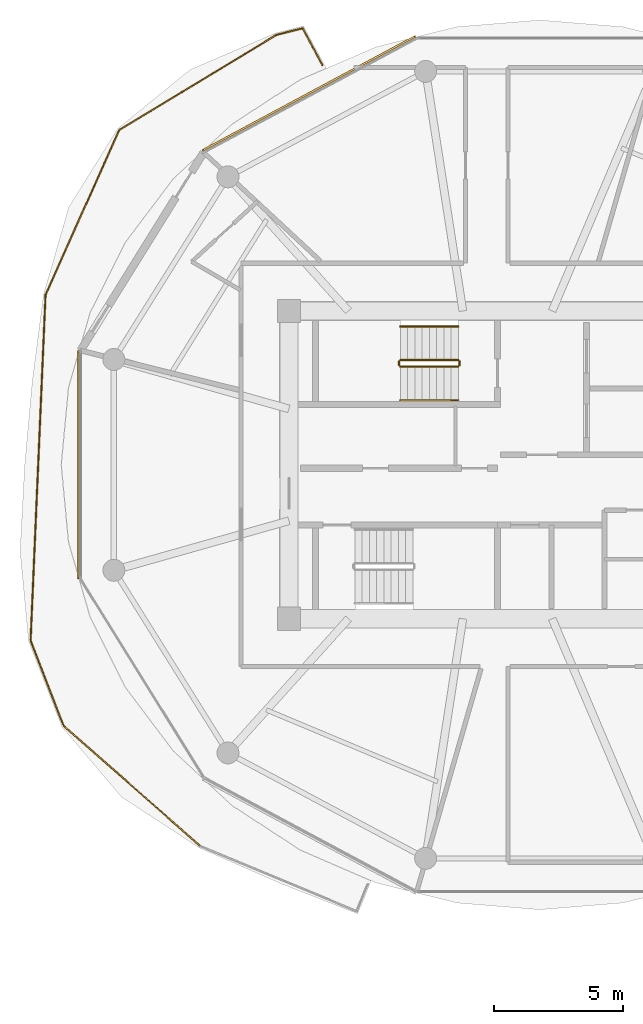
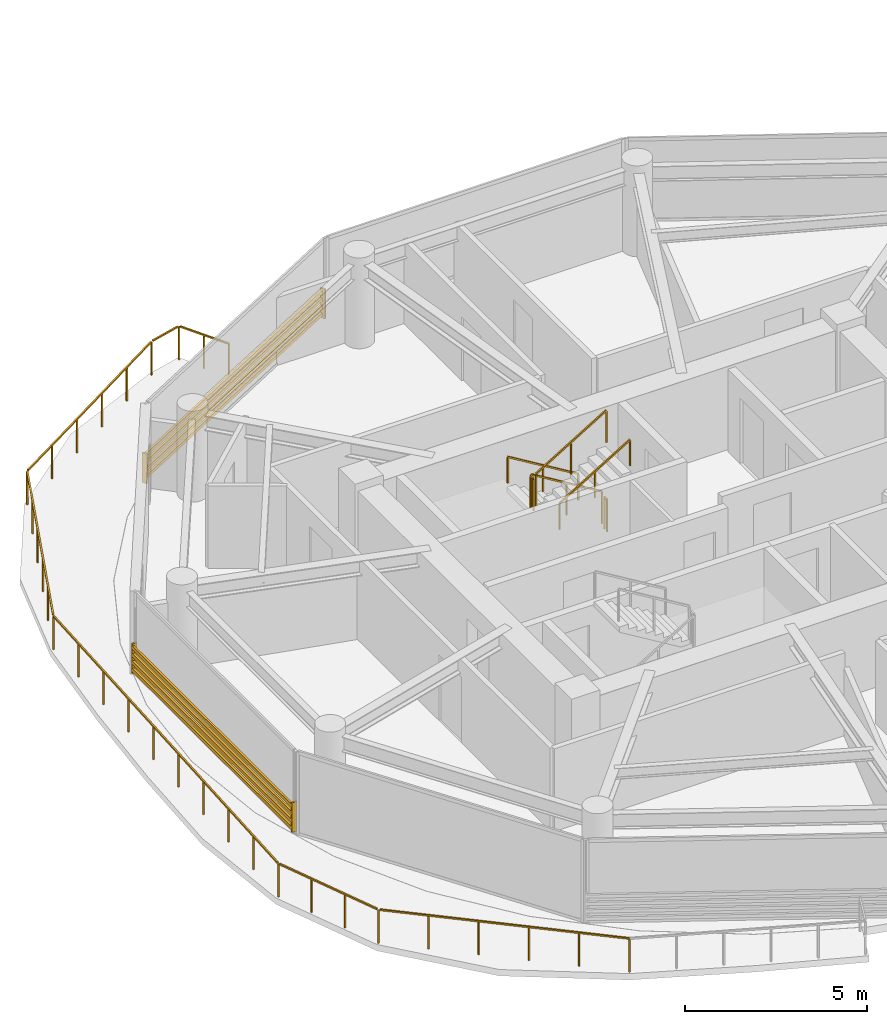
# One storey, part 20 of 22: 7 railings, 2 shading devices.
"""IFC4 building model written with IfcOpenShell, lengths in metres."""

from ifc_helpers import new_model, si_unit, direction, frame, origin, origin_2d, place, context, subcontext, project, spatial, rectangle, extrude, source, transform, mapped, material, type_object, type_shapes, element, save


model = new_model("IFC4")

# Units and contexts
model_context = context("Model", 3, precision=1e-05, world=origin(), true_north=direction((0.0, 1.0)))
body_context = subcontext(model_context, "Body", "Model", "MODEL_VIEW")
ifc_project = project(units=[si_unit("LENGTHUNIT", "METRE"), si_unit("AREAUNIT", "SQUARE_METRE"), si_unit("VOLUMEUNIT", "CUBIC_METRE"), si_unit("PLANEANGLEUNIT", "RADIAN"), si_unit("MASSUNIT", "GRAM", prefix="KILO")], contexts=[model_context])

# Site, building, storey
site_placement = place(None, origin())
site = spatial("IfcSite", under=ifc_project, at=site_placement, CompositionType="ELEMENT")
building_placement = place(site_placement, origin())
building = spatial("IfcBuilding", under=site, at=building_placement, Name="Norrkilde Senior Care Towers", CompositionType="ELEMENT")
storey_placement = place(building_placement, frame((0.0, 0.0, 96.25)))
storey = spatial("IfcBuildingStorey", under=building, at=storey_placement, Name="L29", CompositionType="ELEMENT", Elevation=96.25)

# Railings
ifc_material_1 = material(Name="Anodised Aluminium", Category="aluminium")
railing_type_1 = type_object("IfcRailingType", Name="Balcony Swirl Ribbon Guardrail 1150", PredefinedType="GUARDRAIL", material=ifc_material_1)
railing_1_placement = place(storey_placement, frame((-39.0771484375, -14.73828125, 0.0)))
element("IfcRailing", 1, at=railing_1_placement, inside=storey, type_object=railing_type_1, Name="L29 Perimeter Safety Guard 03", PredefinedType="GUARDRAIL", context=body_context, shape_type="SweptSolid", body=[
    extrude(rectangle(XDim=0.048095703125, YDim=0.048095703125, at=origin_2d()), frame((0.0, 0.0, 1.1259765625), z_axis=(-0.750601379048, 0.660755302492, 0.0), x_axis=(-0.660755302492, -0.750601379048, 0.0)), (0.0, 0.0, 1.0), 6.999755859375),
    extrude(rectangle(XDim=0.048095703125, YDim=0.048095703125, at=origin_2d()), frame((-5.299560546875, 4.690185546875, 1.1259765625), z_axis=(-0.361694804331, 0.932296556102, 0.0), x_axis=(-0.932296556102, -0.361694804331, 0.0)), (0.0, 0.0, 1.0), 3.446533203125),
    extrude(rectangle(XDim=0.048095703125, YDim=0.048095703125, at=origin_2d()), frame((-6.55908203125, 7.982177734375, 1.1259765625), z_axis=(0.043183083244, 0.99906717558, 0.0), x_axis=(-0.99906717558, 0.043183083244, 0.0)), (0.0, 0.0, 1.0), 13.30029296875),
    extrude(rectangle(XDim=0.048095703125, YDim=0.048095703125, at=origin_2d()), frame((-5.96630859375, 21.348388671875, 1.1259765625), z_axis=(0.40804615809, 0.912961298669, 0.0), x_axis=(-0.912961298669, 0.40804615809, 0.0)), (0.0, 0.0, 1.0), 6.89697265625),
    extrude(rectangle(XDim=0.048095703125, YDim=0.048095703125, at=origin_2d()), frame((-3.100341796875, 27.70361328125, 1.1259765625), z_axis=(0.855397815299, 0.517971599203, 0.0), x_axis=(-0.517971599203, 0.855397815299, 0.0)), (0.0, 0.0, 1.0), 7.01611328125),
    extrude(rectangle(XDim=0.048095703125, YDim=0.048095703125, at=origin_2d()), frame((2.975830078125, 31.368896484375, 1.1259765625), z_axis=(0.969024356953, 0.246965170887, 0.0), x_axis=(-0.246965170887, 0.969024356953, 0.0)), (0.0, 0.0, 1.0), 0.968017578125),
    extrude(rectangle(XDim=0.048095703125, YDim=0.048095703125, at=origin_2d()), frame((3.972900390625, 31.582275390625, 1.1259765625), z_axis=(0.473847509272, -0.880606914552, 0.0), x_axis=(0.880606914552, 0.473847509272, 0.0)), (0.0, 0.0, 1.0), 1.574951171875),
    extrude(rectangle(XDim=0.0419921875, YDim=0.0419921875, at=origin_2d()), origin(), (0.0, 0.0, 1.0), 1.099853515625),
    extrude(rectangle(XDim=0.0419921875, YDim=0.0419921875, at=origin_2d()), frame((-1.056884765625, 0.930419921875, 0.0)), (0.0, 0.0, 1.0), 1.099853515625),
    extrude(rectangle(XDim=0.0419921875, YDim=0.0419921875, at=origin_2d()), frame((-2.11376953125, 1.86083984375, 0.0)), (0.0, 0.0, 1.0), 1.099853515625),
    extrude(rectangle(XDim=0.0419921875, YDim=0.0419921875, at=origin_2d()), frame((-3.1708984375, 2.791259765625, 0.0)), (0.0, 0.0, 1.0), 1.099853515625),
    extrude(rectangle(XDim=0.0419921875, YDim=0.0419921875, at=origin_2d()), frame((-4.227783203125, 3.7216796875, 0.0)), (0.0, 0.0, 1.0), 1.099853515625),
    extrude(rectangle(XDim=0.0419921875, YDim=0.0419921875, at=origin_2d()), frame((-5.28466796875, 4.652099609375, 0.0)), (0.0, 0.0, 1.0), 1.099853515625),
    extrude(rectangle(XDim=0.0419921875, YDim=0.0419921875, at=origin_2d()), frame((-5.7099609375, 5.74853515625, 0.0)), (0.0, 0.0, 1.0), 1.099853515625),
    extrude(rectangle(XDim=0.0419921875, YDim=0.0419921875, at=origin_2d()), frame((-6.135498046875, 6.844970703125, 0.0)), (0.0, 0.0, 1.0), 1.099853515625),
    extrude(rectangle(XDim=0.0419921875, YDim=0.0419921875, at=origin_2d()), frame((-6.560791015625, 7.94140625, 0.0)), (0.0, 0.0, 1.0), 1.099853515625),
    extrude(rectangle(XDim=0.0419921875, YDim=0.0419921875, at=origin_2d()), frame((-6.49658203125, 9.427001953125, 0.0)), (0.0, 0.0, 1.0), 1.099853515625),
    extrude(rectangle(XDim=0.0419921875, YDim=0.0419921875, at=origin_2d()), frame((-6.432373046875, 10.912353515625, 0.0)), (0.0, 0.0, 1.0), 1.099853515625),
    extrude(rectangle(XDim=0.0419921875, YDim=0.0419921875, at=origin_2d()), frame((-6.3681640625, 12.39794921875, 0.0)), (0.0, 0.0, 1.0), 1.099853515625),
    extrude(rectangle(XDim=0.0419921875, YDim=0.0419921875, at=origin_2d()), frame((-6.303955078125, 13.883544921875, 0.0)), (0.0, 0.0, 1.0), 1.099853515625),
    extrude(rectangle(XDim=0.0419921875, YDim=0.0419921875, at=origin_2d()), frame((-6.23974609375, 15.368896484375, 0.0)), (0.0, 0.0, 1.0), 1.099853515625),
    extrude(rectangle(XDim=0.0419921875, YDim=0.0419921875, at=origin_2d()), frame((-6.175537109375, 16.8544921875, 0.0)), (0.0, 0.0, 1.0), 1.099853515625),
    extrude(rectangle(XDim=0.0419921875, YDim=0.0419921875, at=origin_2d()), frame((-6.111328125, 18.340087890625, 0.0)), (0.0, 0.0, 1.0), 1.099853515625),
    extrude(rectangle(XDim=0.0419921875, YDim=0.0419921875, at=origin_2d()), frame((-6.047119140625, 19.825439453125, 0.0)), (0.0, 0.0, 1.0), 1.099853515625),
    extrude(rectangle(XDim=0.0419921875, YDim=0.0419921875, at=origin_2d()), frame((-5.98291015625, 21.31103515625, 0.0)), (0.0, 0.0, 1.0), 1.099853515625),
    extrude(rectangle(XDim=0.0419921875, YDim=0.0419921875, at=origin_2d()), frame((-5.413330078125, 22.585205078125, 0.0)), (0.0, 0.0, 1.0), 1.099853515625),
    extrude(rectangle(XDim=0.0419921875, YDim=0.0419921875, at=origin_2d()), frame((-4.84375, 23.859619140625, 0.0)), (0.0, 0.0, 1.0), 1.099853515625),
    extrude(rectangle(XDim=0.0419921875, YDim=0.0419921875, at=origin_2d()), frame((-4.2744140625, 25.1337890625, 0.0)), (0.0, 0.0, 1.0), 1.099853515625),
    extrude(rectangle(XDim=0.0419921875, YDim=0.0419921875, at=origin_2d()), frame((-3.704833984375, 26.408203125, 0.0)), (0.0, 0.0, 1.0), 1.099853515625),
    extrude(rectangle(XDim=0.0419921875, YDim=0.0419921875, at=origin_2d()), frame((-3.13525390625, 27.682373046875, 0.0)), (0.0, 0.0, 1.0), 1.099853515625),
    extrude(rectangle(XDim=0.0419921875, YDim=0.0419921875, at=origin_2d()), frame((-1.9208984375, 28.417724609375, 0.0)), (0.0, 0.0, 1.0), 1.099853515625),
    extrude(rectangle(XDim=0.0419921875, YDim=0.0419921875, at=origin_2d()), frame((-0.70654296875, 29.153076171875, 0.0)), (0.0, 0.0, 1.0), 1.099853515625),
    extrude(rectangle(XDim=0.0419921875, YDim=0.0419921875, at=origin_2d()), frame((0.507568359375, 29.88818359375, 0.0)), (0.0, 0.0, 1.0), 1.099853515625),
    extrude(rectangle(XDim=0.0419921875, YDim=0.0419921875, at=origin_2d()), frame((1.721923828125, 30.62353515625, 0.0)), (0.0, 0.0, 1.0), 1.099853515625),
    extrude(rectangle(XDim=0.0419921875, YDim=0.0419921875, at=origin_2d()), frame((2.936279296875, 31.35888671875, 0.0)), (0.0, 0.0, 1.0), 1.099853515625),
    extrude(rectangle(XDim=0.0419921875, YDim=0.0419921875, at=origin_2d()), frame((3.95361328125, 31.6181640625, 0.0)), (0.0, 0.0, 1.0), 1.099853515625),
    extrude(rectangle(XDim=0.0419921875, YDim=0.0419921875, at=origin_2d()), frame((4.33642578125, 30.90673828125, 0.0)), (0.0, 0.0, 1.0), 1.099853515625),
    extrude(rectangle(XDim=0.0419921875, YDim=0.0419921875, at=origin_2d()), frame((4.71923828125, 30.1953125, 0.0)), (0.0, 0.0, 1.0), 1.099853515625),
])
ifc_material_2 = material(Name="Stainless Steel", Category="steel")
railing_type_2 = type_object("IfcRailingType", Name="Stair and Terrace Guardrail 1100", PredefinedType="GUARDRAIL", material=ifc_material_2)
railing_2_placement = place(storey_placement, frame((-29.10009765625, 4.050048828125, 0.16943359375)))
element("IfcRailing", 2, at=railing_2_placement, inside=storey, type_object=railing_type_2, Name="L29 ST-W1 stair guard 1", PredefinedType="GUARDRAIL", context=body_context, shape_type="SweptSolid", body=[
    extrude(rectangle(XDim=0.048095703125, YDim=0.048095703125, at=origin_2d()), frame((0.0, 0.0, 1.076171875), z_axis=(-0.855553338991, 0.0, 0.51771467445), x_axis=(0.0, -1.0, 0.0)), (0.0, 0.0, 1.0), 2.6181640625),
    extrude(rectangle(XDim=0.0419921875, YDim=0.0419921875, at=origin_2d()), origin(), (0.0, 0.0, 1.0), 1.050048828125),
    extrude(rectangle(XDim=0.0419921875, YDim=0.0419921875, at=origin_2d()), frame((-1.1201171875, 0.0, 0.677734375)), (0.0, 0.0, 1.0), 1.050048828125),
    extrude(rectangle(XDim=0.0419921875, YDim=0.0419921875, at=origin_2d()), frame((-2.239990234375, 0.0, 1.35546875)), (0.0, 0.0, 1.0), 1.050048828125),
])
railing_3_placement = place(storey_placement, frame((-31.389892578125, 4.0, 1.52490234375)))
element("IfcRailing", 3, at=railing_3_placement, inside=storey, type_object=railing_type_2, Name="L29 ST-W1 stair guard 2", PredefinedType="GUARDRAIL", context=body_context, shape_type="SweptSolid", body=[
    extrude(rectangle(XDim=0.048095703125, YDim=0.048095703125, at=origin_2d()), frame((0.0, 0.0, 1.076171875), z_axis=(0.0, -1.0, 0.0), x_axis=(1.0, 0.0, 0.0)), (0.0, 0.0, 1.0), 0.14990234375),
    extrude(rectangle(XDim=0.0419921875, YDim=0.0419921875, at=origin_2d()), origin(), (0.0, 0.0, 1.0), 1.050048828125),
    extrude(rectangle(XDim=0.0419921875, YDim=0.0419921875, at=origin_2d()), frame((0.0, -0.14990234375, 0.0)), (0.0, 0.0, 1.0), 1.050048828125),
])
railing_4_placement = place(storey_placement, frame((-31.340087890625, 3.800048828125, 1.6943359375)))
element("IfcRailing", 4, at=railing_4_placement, inside=storey, type_object=railing_type_2, Name="L29 ST-W1 stair guard 3", PredefinedType="GUARDRAIL", context=body_context, shape_type="SweptSolid", body=[
    extrude(rectangle(XDim=0.048095703125, YDim=0.048095703125, at=origin_2d()), frame((0.0, 0.0, 1.076171875), z_axis=(0.855512035549, 0.0, 0.517782924622), x_axis=(0.0, 1.0, 0.0)), (0.0, 0.0, 1.0), 2.618408203125),
    extrude(rectangle(XDim=0.0419921875, YDim=0.0419921875, at=origin_2d()), origin(), (0.0, 0.0, 1.0), 1.050048828125),
    extrude(rectangle(XDim=0.0419921875, YDim=0.0419921875, at=origin_2d()), frame((1.1201171875, 0.0, 0.677734375)), (0.0, 0.0, 1.0), 1.050048828125),
    extrude(rectangle(XDim=0.0419921875, YDim=0.0419921875, at=origin_2d()), frame((2.239990234375, 0.0, 1.355712890625)), (0.0, 0.0, 1.0), 1.050048828125),
])
railing_5_placement = place(storey_placement, frame((-29.050048828125, 4.0, 0.0)))
element("IfcRailing", 5, at=railing_5_placement, inside=storey, type_object=railing_type_2, Name="L29 ST-W1 stair guard 4", PredefinedType="GUARDRAIL", context=body_context, shape_type="SweptSolid", body=[
    extrude(rectangle(XDim=0.048095703125, YDim=0.048095703125, at=origin_2d()), frame((0.0, 0.0, 1.076171875), z_axis=(0.0, -1.0, 0.0), x_axis=(1.0, 0.0, 0.0)), (0.0, 0.0, 1.0), 0.14990234375),
    extrude(rectangle(XDim=0.0419921875, YDim=0.0419921875, at=origin_2d()), origin(), (0.0, 0.0, 1.0), 1.050048828125),
    extrude(rectangle(XDim=0.0419921875, YDim=0.0419921875, at=origin_2d()), frame((0.0, -0.14990234375, 0.0)), (0.0, 0.0, 1.0), 1.050048828125),
])
ifc_material_3 = material(Name="Nordic Ash Timber", Category="wood")
railing_type_3 = type_object("IfcRailingType", Name="Wall and Stair Handrail 900", PredefinedType="HANDRAIL", material=ifc_material_3)
railing_6_placement = place(storey_placement, frame((-29.10009765625, 5.35009765625, 0.16943359375)))
element("IfcRailing", 6, at=railing_6_placement, inside=storey, type_object=railing_type_3, Name="L29 ST-W1 stair handrail 1", PredefinedType="HANDRAIL", context=body_context, shape_type="SweptSolid", body=[
    extrude(rectangle(XDim=0.048095703125, YDim=0.048095703125, at=origin_2d()), frame((0.0, 0.0, 0.8759765625), z_axis=(-0.855553338991, 0.0, 0.51771467445), x_axis=(0.0, -1.0, 0.0)), (0.0, 0.0, 1.0), 2.6181640625),
    extrude(rectangle(XDim=0.0419921875, YDim=0.0419921875, at=origin_2d()), origin(), (0.0, 0.0, 1.0), 0.849853515625),
    extrude(rectangle(XDim=0.0419921875, YDim=0.0419921875, at=origin_2d()), frame((-1.1201171875, 0.0, 0.677734375)), (0.0, 0.0, 1.0), 0.849853515625),
    extrude(rectangle(XDim=0.0419921875, YDim=0.0419921875, at=origin_2d()), frame((-2.239990234375, 0.0, 1.35546875)), (0.0, 0.0, 1.0), 0.849853515625),
])
railing_7_placement = place(storey_placement, frame((-31.340087890625, 2.5, 1.6943359375)))
element("IfcRailing", 7, at=railing_7_placement, inside=storey, type_object=railing_type_3, Name="L29 ST-W1 stair handrail 2", PredefinedType="HANDRAIL", context=body_context, shape_type="SweptSolid", body=[
    extrude(rectangle(XDim=0.048095703125, YDim=0.048095703125, at=origin_2d()), frame((0.0, 0.0, 0.8759765625), z_axis=(0.855512035549, 0.0, 0.517782924622), x_axis=(0.0, 1.0, 0.0)), (0.0, 0.0, 1.0), 2.618408203125),
    extrude(rectangle(XDim=0.0419921875, YDim=0.0419921875, at=origin_2d()), origin(), (0.0, 0.0, 1.0), 0.849853515625),
    extrude(rectangle(XDim=0.0419921875, YDim=0.0419921875, at=origin_2d()), frame((1.1201171875, 0.0, 0.677734375)), (0.0, 0.0, 1.0), 0.849853515625),
    extrude(rectangle(XDim=0.0419921875, YDim=0.0419921875, at=origin_2d()), frame((2.239990234375, 0.0, 1.355712890625)), (0.0, 0.0, 1.0), 0.849853515625),
])

# Shading devices
ifc_material_4 = material(Name="Architectural Terracotta", Category="masonry")
shading_device_type = type_object("IfcShadingDeviceType", Name="Horizontal Terracotta Baguette Rack", PredefinedType="USERDEFINED", material=ifc_material_4)
shared_shape_1 = source(origin(), body_context, "Body", "SweptSolid", [
    extrude(rectangle(XDim=0.070068359375, YDim=0.110107421875, at=origin_2d()), frame((0.0, 0.090087890625, 0.125), z_axis=(1.0, 0.0, 0.0), x_axis=(0.0, 1.0, 0.0)), (0.0, 0.0, 1.0), 9.3505859375),
    extrude(rectangle(XDim=0.070068359375, YDim=0.110107421875, at=origin_2d()), frame((0.0, 0.090087890625, 0.375), z_axis=(1.0, 0.0, 0.0), x_axis=(0.0, 1.0, 0.0)), (0.0, 0.0, 1.0), 9.3505859375),
    extrude(rectangle(XDim=0.070068359375, YDim=0.110107421875, at=origin_2d()), frame((0.0, 0.090087890625, 0.625), z_axis=(1.0, 0.0, 0.0), x_axis=(0.0, 1.0, 0.0)), (0.0, 0.0, 1.0), 9.3505859375),
    extrude(rectangle(XDim=0.070068359375, YDim=0.110107421875, at=origin_2d()), frame((0.0, 0.090087890625, 0.875), z_axis=(1.0, 0.0, 0.0), x_axis=(0.0, 1.0, 0.0)), (0.0, 0.0, 1.0), 9.3505859375),
    extrude(rectangle(XDim=0.050048828125, YDim=0.1552734375, at=origin_2d()), frame((0.02490234375, 0.047607421875, 0.0)), (0.0, 0.0, 1.0), 1.0),
    extrude(rectangle(XDim=0.050048828125, YDim=0.1552734375, at=origin_2d()), frame((9.32568359375, 0.047607421875, 0.0)), (0.0, 0.0, 1.0), 1.0),
])
shading_device_1_placement = place(storey_placement, frame((-38.946533203125, 12.077392578125, 0.080078125), z_axis=(0.0, 0.0, 1.0), x_axis=(0.881174934726, 0.472767624021, 0.0)))
element("IfcShadingDevice", 8, at=shading_device_1_placement, inside=storey, type_object=shading_device_type, Name="L29 Drum W Terracotta Baguette Screen 03", ObjectType="BAGUETTE", PredefinedType="USERDEFINED", context=body_context, shape_type="MappedRepresentation", body=[
    mapped(shared_shape_1, transform((0.0, 0.0, 0.0), x_axis=(1.0, 0.0, 0.0), y_axis=(0.0, 1.0, 0.0), z_axis=(0.0, 0.0, 1.0), scale=1.0)),
])
shared_shape_2 = source(origin(), body_context, "Body", "SweptSolid", [
    extrude(rectangle(XDim=0.070068359375, YDim=0.110107421875, at=origin_2d()), frame((0.0, 0.090087890625, 0.125), z_axis=(1.0, 0.0, 0.0), x_axis=(0.0, 1.0, 0.0)), (0.0, 0.0, 1.0), 8.84130859375),
    extrude(rectangle(XDim=0.070068359375, YDim=0.110107421875, at=origin_2d()), frame((0.0, 0.090087890625, 0.375), z_axis=(1.0, 0.0, 0.0), x_axis=(0.0, 1.0, 0.0)), (0.0, 0.0, 1.0), 8.84130859375),
    extrude(rectangle(XDim=0.070068359375, YDim=0.110107421875, at=origin_2d()), frame((0.0, 0.090087890625, 0.625), z_axis=(1.0, 0.0, 0.0), x_axis=(0.0, 1.0, 0.0)), (0.0, 0.0, 1.0), 8.84130859375),
    extrude(rectangle(XDim=0.070068359375, YDim=0.110107421875, at=origin_2d()), frame((0.0, 0.090087890625, 0.875), z_axis=(1.0, 0.0, 0.0), x_axis=(0.0, 1.0, 0.0)), (0.0, 0.0, 1.0), 8.84130859375),
    extrude(rectangle(XDim=0.050048828125, YDim=0.1552734375, at=origin_2d()), frame((0.02490234375, 0.047607421875, 0.0)), (0.0, 0.0, 1.0), 1.0),
    extrude(rectangle(XDim=0.050048828125, YDim=0.1552734375, at=origin_2d()), frame((8.81640625, 0.047607421875, 0.0)), (0.0, 0.0, 1.0), 1.0),
])
type_shapes(shading_device_type, [shared_shape_1, shared_shape_2])
shading_device_2_placement = place(storey_placement, frame((-43.70361328125, -4.420654296875, 0.080078125), z_axis=(0.0, 0.0, 1.0), x_axis=(0.0, 1.0, 0.0)))
element("IfcShadingDevice", 9, at=shading_device_2_placement, inside=storey, type_object=shading_device_type, Name="L29 Drum W Terracotta Baguette Screen 05", ObjectType="BAGUETTE", PredefinedType="USERDEFINED", context=body_context, shape_type="MappedRepresentation", body=[
    mapped(shared_shape_2, transform((0.0, 0.0, 0.0), x_axis=(1.0, 0.0, 0.0), y_axis=(0.0, 1.0, 0.0), z_axis=(0.0, 0.0, 1.0), scale=1.0)),
])

save(model, "model.ifc")
